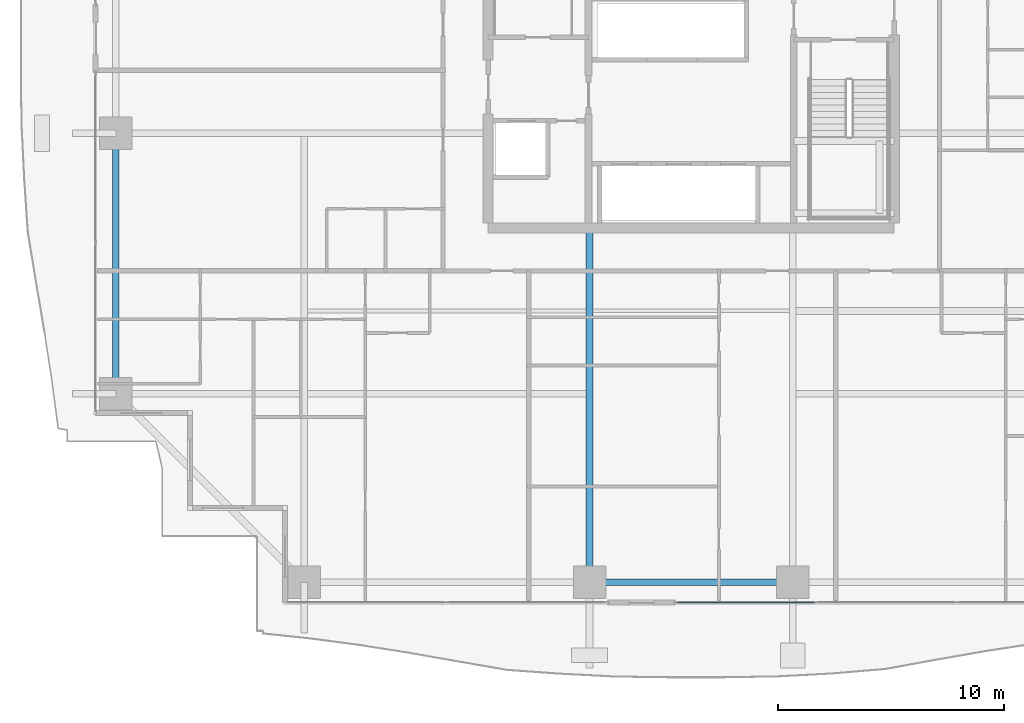
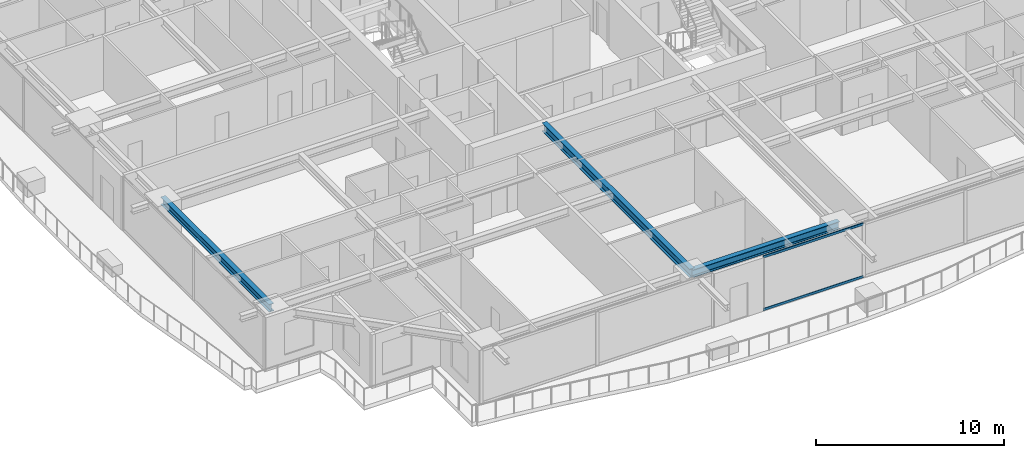
# One storey, part 6 of 41: 3 beams, 2 members, 1 element without a shape of its own.
"""IFC4 building model written with IfcOpenShell, lengths in metres."""

from ifc_helpers import new_model, si_unit, direction, frame, origin, origin_2d, place, context, subcontext, project, spatial, hollow_rectangle, i_section, extrude, source, transform, mapped, material, layer, layer_set, material_profile, profile_set, type_object, element, aggregate, save


model = new_model("IFC4")

# Units and contexts
model_context = context("Model", 3, precision=1e-05, world=origin(), true_north=direction((0.0, 1.0)))
body_context = subcontext(model_context, "Body", "Model", "MODEL_VIEW")
ifc_project = project(units=[si_unit("LENGTHUNIT", "METRE"), si_unit("AREAUNIT", "SQUARE_METRE"), si_unit("VOLUMEUNIT", "CUBIC_METRE"), si_unit("PLANEANGLEUNIT", "RADIAN"), si_unit("MASSUNIT", "GRAM", prefix="KILO")], contexts=[model_context])

# Site, building, storey
site_placement = place(None, origin())
site = spatial("IfcSite", under=ifc_project, at=site_placement, CompositionType="ELEMENT")
building_placement = place(site_placement, origin())
building = spatial("IfcBuilding", under=site, at=building_placement, Name="Serunith Strait Residences", CompositionType="ELEMENT")
storey_placement = place(building_placement, frame((0.0, 0.0, 45.449951171875)))
storey = spatial("IfcBuildingStorey", under=building, at=storey_placement, Name="L10", CompositionType="ELEMENT", Elevation=45.449951171875)

# Beams
ifc_material_1 = material(Name="Steel S355J2", Category="steel")
ifc_material_profile_1 = material_profile(ifc_material_1, i_section(OverallWidth=0.300048828125, OverallDepth=0.550048828125, WebThickness=0.014892578125, FlangeThickness=0.029052734375, FilletRadius=0.027099609375, at=origin_2d()), Name="HEB 550")
ifc_profile_set_1 = profile_set([ifc_material_profile_1], Name="Steel S355J2")
beam_type_1 = type_object("IfcBeamType", Name="BM-HEB550", PredefinedType="BEAM", material=ifc_profile_set_1)
shared_shape_1 = source(origin(), body_context, "Body", "SweptSolid", [
    extrude(i_section(OverallWidth=0.300048828125, OverallDepth=0.550048828125, WebThickness=0.014892578125, FlangeThickness=0.029052734375, FilletRadius=0.027099609375, at=origin_2d()), origin(), (0.0, 0.0, 1.0), 15.699951171875),
])
beam_1_placement = place(storey_placement, frame((27.89990234375, 16.800048828125, 3.212158203125), z_axis=(0.0, -1.0, 0.0), x_axis=(1.0, 0.0, 0.0)))
element("IfcBeam", 1, at=beam_1_placement, inside=storey, type_object=beam_type_1, Name="L10 Primary Floor Girder TC-S2", PredefinedType="BEAM", context=body_context, shape_type="MappedRepresentation", body=[
    mapped(shared_shape_1, transform((0.0, 0.0, 0.0), scale=1.0)),
])
ifc_material_profile_2 = material_profile(ifc_material_1, i_section(OverallWidth=0.300048828125, OverallDepth=0.5, WebThickness=0.014404296875, FlangeThickness=0.028076171875, FilletRadius=0.027099609375, at=origin_2d()), Name="HEB 500")
ifc_profile_set_2 = profile_set([ifc_material_profile_2], Name="Steel S355J2")
beam_type_2 = type_object("IfcBeamType", Name="BM-HEB500", PredefinedType="BEAM", material=ifc_profile_set_2)
shared_shape_2 = source(origin(), body_context, "Body", "SweptSolid", [
    extrude(i_section(OverallWidth=0.300048828125, OverallDepth=0.5, WebThickness=0.014404296875, FlangeThickness=0.028076171875, FilletRadius=0.027099609375, at=origin_2d()), origin(), (0.0, 0.0, 1.0), 9.0),
])
beam_2_placement = place(storey_placement, frame((27.89990234375, 1.10009765625, 3.237060546875), z_axis=(1.0, 0.0, 0.0), x_axis=(0.0, 1.0, 0.0)))
element("IfcBeam", 2, at=beam_2_placement, inside=storey, type_object=beam_type_2, Name="L10 Perimeter Ring Beam 02", PredefinedType="BEAM", context=body_context, shape_type="MappedRepresentation", body=[
    mapped(shared_shape_2, transform((0.0, 0.0, 0.0), scale=1.0)),
])
shared_shape_3 = source(origin(), body_context, "Body", "SweptSolid", [
    extrude(i_section(OverallWidth=0.300048828125, OverallDepth=0.5, WebThickness=0.014404296875, FlangeThickness=0.028076171875, FilletRadius=0.027099609375, at=origin_2d()), origin(), (0.0, 0.0, 1.0), 11.550048828125),
])
beam_3_placement = place(storey_placement, frame((6.89990234375, 21.0, 3.237060546875), z_axis=(0.0, -1.0, 0.0), x_axis=(1.0, 0.0, 0.0)))
element("IfcBeam", 3, at=beam_3_placement, inside=storey, type_object=beam_type_2, Name="L10 Perimeter Ring Beam 15", PredefinedType="BEAM", context=body_context, shape_type="MappedRepresentation", body=[
    mapped(shared_shape_3, transform((0.0, 0.0, 0.0), scale=1.0)),
])

# Curtain wall, members
ifc_material_2 = material(Name="Pale-Champagne Anodised Aluminium", Category="aluminium")
ifc_layer = layer(ifc_material_2, 0.199951171875, Name="Pale-Champagne Anodised Aluminium")
ifc_layer_set = layer_set([ifc_layer], Name="Pale-Champagne Anodised Aluminium")
curtain_wall_type = type_object("IfcCurtainWallType", Name="CW-SYS1", PredefinedType="NOTDEFINED", material=ifc_layer_set)
curtain_wall_placement = place(storey_placement, origin())
curtain_wall = element("IfcCurtainWall", 4, at=curtain_wall_placement, inside=storey, type_object=curtain_wall_type, Name="L10 S Unitised Fritted Curtain Wall", PredefinedType="NOTDEFINED")
ifc_material_profile_3 = material_profile(ifc_material_2, hollow_rectangle(XDim=0.06005859375, YDim=0.159912109375, WallThickness=0.00341796875, InnerFilletRadius=0.00537109375, OuterFilletRadius=0.0087890625, at=origin_2d()), Name="ALU 160x60x3.5")
ifc_profile_set_3 = profile_set([ifc_material_profile_3], Name="Pale-Champagne Anodised Aluminium")
member_type = type_object("IfcMemberType", Name="CW-SYS1-TRAN", PredefinedType="USERDEFINED", material=ifc_profile_set_3)
shared_shape_4 = source(origin(), body_context, "Body", "SweptSolid", [
    extrude(hollow_rectangle(XDim=0.06005859375, YDim=0.159912109375, WallThickness=0.00341796875, InnerFilletRadius=0.00537109375, OuterFilletRadius=0.0087890625, at=origin_2d()), origin(), (0.0, 0.0, 1.0), 6.12841796875),
])
member_1_placement = place(storey_placement, frame((31.77001953125, 0.199951171875, 0.030029296875), z_axis=(1.0, 0.0, 0.0), x_axis=(0.0, 1.0, 0.0)))
member_1 = element("IfcMember", 5, at=member_1_placement, type_object=member_type, Name="CW-1 transom 1.1", ObjectType="TRANSOM", PredefinedType="USERDEFINED", context=body_context, shape_type="MappedRepresentation", body=[
    mapped(shared_shape_4, transform((0.0, 0.0, 0.0), scale=1.0)),
])
member_2_placement = place(storey_placement, frame((31.77001953125, 0.199951171875, 3.445068359375), z_axis=(1.0, 0.0, 0.0), x_axis=(0.0, 1.0, 0.0)))
member_2 = element("IfcMember", 6, at=member_2_placement, type_object=member_type, Name="CW-1 transom 1.2", ObjectType="TRANSOM", PredefinedType="USERDEFINED", context=body_context, shape_type="MappedRepresentation", body=[
    mapped(shared_shape_4, transform((0.0, 0.0, 0.0), scale=1.0)),
])
aggregate(curtain_wall, [member_1, member_2])

save(model, "model.ifc")
